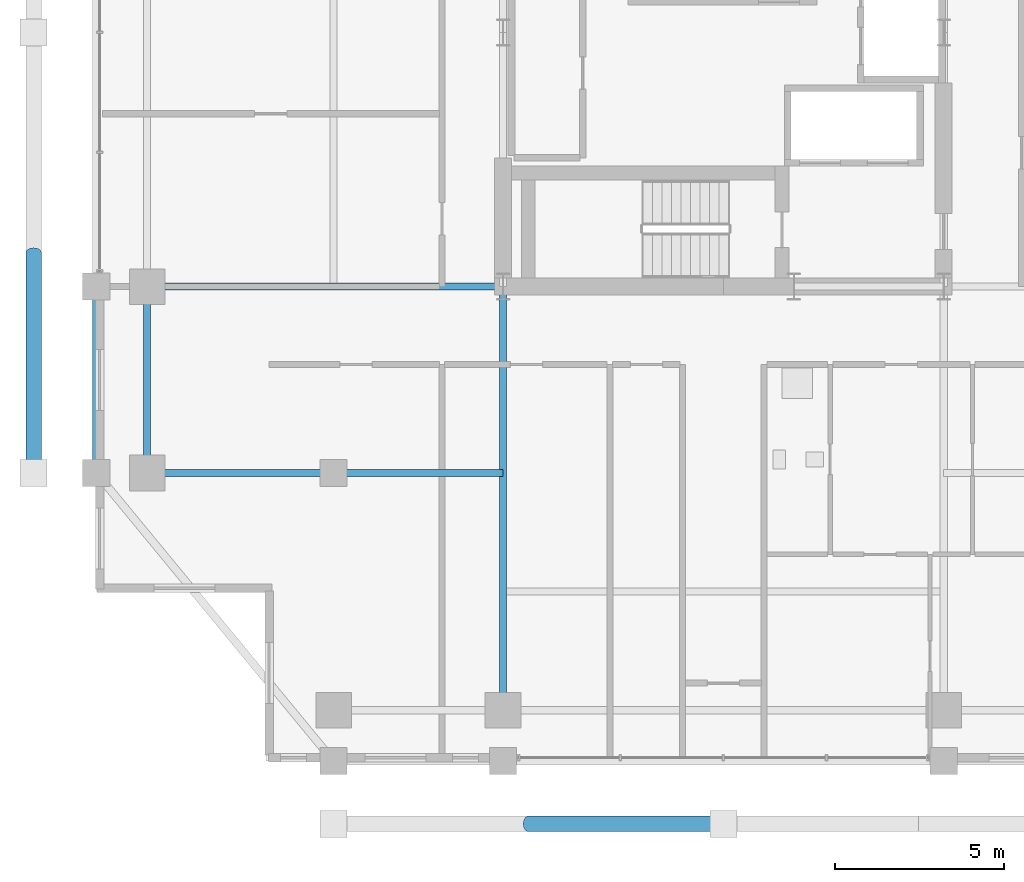
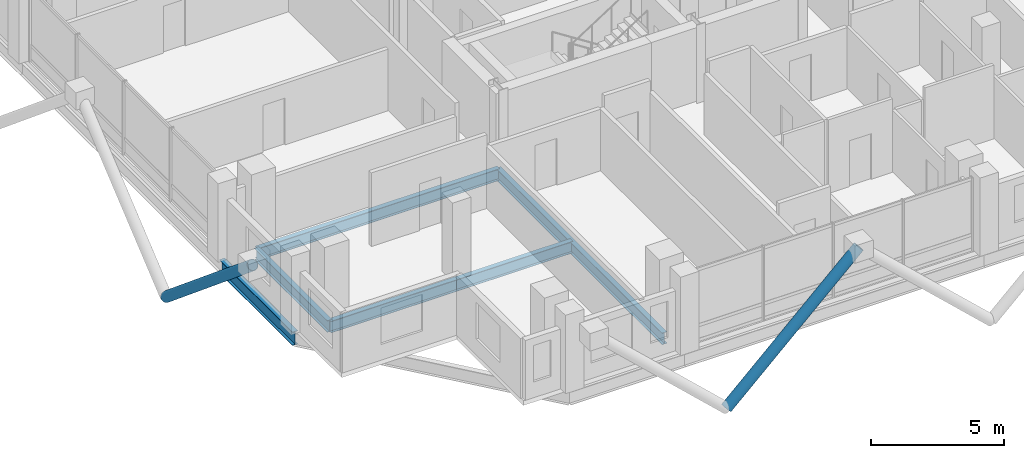
# One storey, part 3 of 24: 6 beams, 2 members.
"""IFC4 building model written with IfcOpenShell, lengths in metres."""

from ifc_helpers import new_model, si_unit, direction, frame, origin, origin_2d, place, context, subcontext, project, spatial, hollow_circle, i_section, extrude, material, material_profile, profile_set, type_object, element, save


model = new_model("IFC4")

# Units and contexts
model_context = context("Model", 3, precision=1e-05, world=origin(), true_north=direction((0.0, 1.0)))
body_context = subcontext(model_context, "Body", "Model", "MODEL_VIEW")
ifc_project = project(units=[si_unit("LENGTHUNIT", "METRE"), si_unit("AREAUNIT", "SQUARE_METRE"), si_unit("VOLUMEUNIT", "CUBIC_METRE"), si_unit("PLANEANGLEUNIT", "RADIAN"), si_unit("MASSUNIT", "GRAM", prefix="KILO")], contexts=[model_context])

# Site, building, storey
site_placement = place(None, origin())
site = spatial("IfcSite", under=ifc_project, at=site_placement, CompositionType="ELEMENT")
building_placement = place(site_placement, origin())
building = spatial("IfcBuilding", under=site, at=building_placement, Name="Barlavira Tower and Art Museum", CompositionType="ELEMENT")
storey_placement = place(building_placement, frame((0.0, 0.0, 172.800048828125)))
storey = spatial("IfcBuildingStorey", under=building, at=storey_placement, Name="L44", CompositionType="ELEMENT", Elevation=172.800048828125)

# Members
ifc_material = material(Name="Steel S355", Category="steel")
ifc_material_profile_1 = material_profile(ifc_material, hollow_circle(Radius=0.228515625, WallThickness=0.02001953125, at=origin_2d()), Name="CHS 457.0x20.0")
ifc_profile_set_1 = profile_set([ifc_material_profile_1], Name="Steel S355")
member_type = type_object("IfcMemberType", Name="Pale-Metal Exoskeleton Diagrid Tube CHS 457x20 Steel S355", PredefinedType="BRACE", material=ifc_profile_set_1)
member_1_placement = place(storey_placement, frame((-5.75, -23.35009765625, -1.920166015625), z_axis=(0.728934650808, 0.0, 0.684583285548), x_axis=(0.0, 1.0, 0.0)))
element("IfcMember", 1, at=member_1_placement, inside=storey, type_object=member_type, Name="L44 Exoskeleton Diagrid Tube S", PredefinedType="BRACE", context=body_context, shape_type="SweptSolid", body=[
    extrude(hollow_circle(Radius=0.228515625, WallThickness=0.02001953125, at=origin_2d()), origin(), (0.0, 0.0, 1.0), 7.88818359375),
])
member_2_placement = place(storey_placement, frame((-20.35009765625, -6.5, -1.920166015625), z_axis=(0.0, -0.76918185268, 0.639029950399), x_axis=(1.0, 0.0, 0.0)))
element("IfcMember", 2, at=member_2_placement, inside=storey, type_object=member_type, Name="L44 Exoskeleton Diagrid Tube W", PredefinedType="BRACE", context=body_context, shape_type="SweptSolid", body=[
    extrude(hollow_circle(Radius=0.228515625, WallThickness=0.02001953125, at=origin_2d()), origin(), (0.0, 0.0, 1.0), 8.450439453125),
])

# Beams
ifc_material_profile_2 = material_profile(ifc_material, i_section(OverallWidth=0.22998046875, OverallDepth=0.616943359375, WebThickness=0.01318359375, FlangeThickness=0.022216796875, at=origin_2d()), Name="W610x140.0")
ifc_profile_set_2 = profile_set([ifc_material_profile_2], Name="Steel S355")
beam_type_1 = type_object("IfcBeamType", Name="Upper Shaft Spandrel Edge Beam W610x140 Steel S355", PredefinedType="SPANDREL", material=ifc_profile_set_2)
beam_1_placement = place(storey_placement, frame((-18.5, -13.0, -0.528564453125), z_axis=(0.0, 1.0, 0.0), x_axis=(-1.0, 0.0, 0.0)))
element("IfcBeam", 3, at=beam_1_placement, inside=storey, type_object=beam_type_1, Name="L44 Spandrel 15", PredefinedType="SPANDREL", context=body_context, shape_type="SweptSolid", body=[
    extrude(i_section(OverallWidth=0.22998046875, OverallDepth=0.616943359375, WebThickness=0.01318359375, FlangeThickness=0.022216796875, at=origin_2d()), origin(), (0.0, 0.0, 1.0), 5.5),
])
ifc_material_profile_3 = material_profile(ifc_material, i_section(OverallWidth=0.2109375, OverallDepth=0.5390625, WebThickness=0.01171875, FlangeThickness=0.018798828125, at=origin_2d()), Name="W530x109.0")
ifc_profile_set_3 = profile_set([ifc_material_profile_3], Name="Steel S355")
beam_type_2 = type_object("IfcBeamType", Name="Zone 3-4 Primary Floor Girder W530x109 Steel S355", PredefinedType="BEAM", material=ifc_profile_set_3)
beam_2_placement = place(storey_placement, frame((-17.0, -13.0, -0.489501953125), z_axis=(0.0, 1.0, 0.0), x_axis=(-1.0, 0.0, 0.0)))
element("IfcBeam", 4, at=beam_2_placement, inside=storey, type_object=beam_type_2, Name="L44 Girder M-W1", PredefinedType="BEAM", context=body_context, shape_type="SweptSolid", body=[
    extrude(i_section(OverallWidth=0.2109375, OverallDepth=0.5390625, WebThickness=0.01171875, FlangeThickness=0.018798828125, at=origin_2d()), origin(), (0.0, 0.0, 1.0), 5.5),
])
beam_3_placement = place(storey_placement, frame((-6.5, -20.0, -0.489501953125), z_axis=(0.0, 1.0, 0.0), x_axis=(-1.0, 0.0, 0.0)))
element("IfcBeam", 5, at=beam_3_placement, inside=storey, type_object=beam_type_2, Name="L44 Girder R-S1", PredefinedType="BEAM", context=body_context, shape_type="SweptSolid", body=[
    extrude(i_section(OverallWidth=0.2109375, OverallDepth=0.5390625, WebThickness=0.01171875, FlangeThickness=0.018798828125, at=origin_2d()), origin(), (0.0, 0.0, 1.0), 12.5),
])
beam_4_placement = place(storey_placement, frame((-17.0, -7.5, -0.489501953125), z_axis=(1.0, 0.0, 0.0), x_axis=(0.0, 1.0, 0.0)))
element("IfcBeam", 6, at=beam_4_placement, inside=storey, type_object=beam_type_2, Name="L44 Girder R-W1", PredefinedType="BEAM", context=body_context, shape_type="SweptSolid", body=[
    extrude(i_section(OverallWidth=0.2109375, OverallDepth=0.5390625, WebThickness=0.01171875, FlangeThickness=0.018798828125, at=origin_2d()), origin(), (0.0, 0.0, 1.0), 10.5),
])
beam_5_placement = place(storey_placement, frame((-17.0, -13.0, -0.489501953125), z_axis=(1.0, 0.0, 0.0), x_axis=(0.0, 1.0, 0.0)))
element("IfcBeam", 7, at=beam_5_placement, inside=storey, type_object=beam_type_2, Name="L44 Girder I-S1", PredefinedType="BEAM", context=body_context, shape_type="SweptSolid", body=[
    extrude(i_section(OverallWidth=0.2109375, OverallDepth=0.5390625, WebThickness=0.01171875, FlangeThickness=0.018798828125, at=origin_2d()), origin(), (0.0, 0.0, 1.0), 5.5),
])
beam_6_placement = place(storey_placement, frame((-11.5, -13.0, -0.489501953125), z_axis=(1.0, 0.0, 0.0), x_axis=(0.0, 1.0, 0.0)))
element("IfcBeam", 8, at=beam_6_placement, inside=storey, type_object=beam_type_2, Name="L44 Girder I-S2", PredefinedType="BEAM", context=body_context, shape_type="SweptSolid", body=[
    extrude(i_section(OverallWidth=0.2109375, OverallDepth=0.5390625, WebThickness=0.01171875, FlangeThickness=0.018798828125, at=origin_2d()), origin(), (0.0, 0.0, 1.0), 5.0),
])

save(model, "model.ifc")
